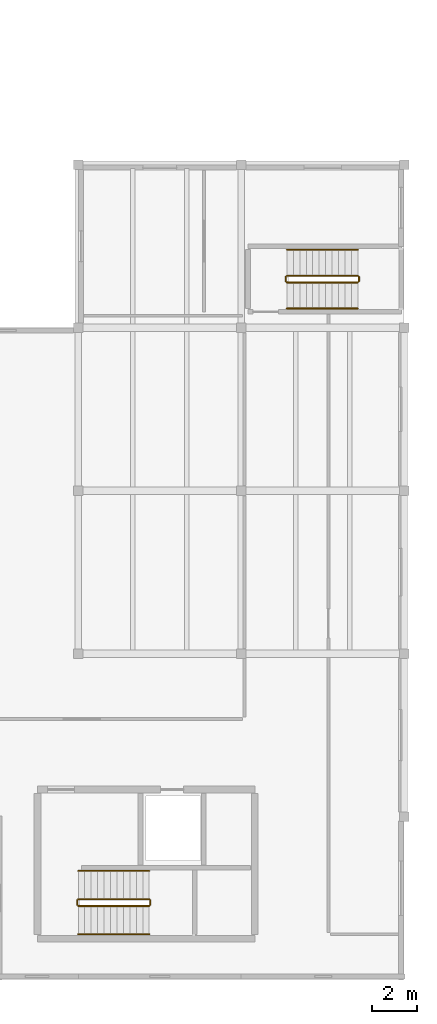
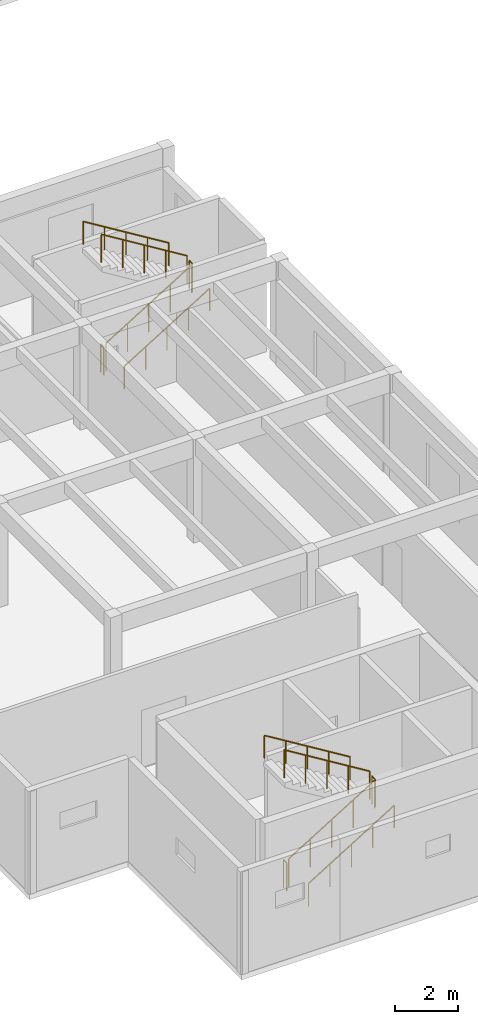
# One storey, part 12 of 15: 12 railings.
"""IFC4 building model written with IfcOpenShell, lengths in metres."""

import ifcopenshell
import ifcopenshell.guid

model = None  # the IFC model being written
_history = None  # IfcOwnerHistory: only IFC2X3 demands one
_inside = {}  # id of a spatial element -> (the spatial element, [elements in it])
_under = {}  # id of a project, library or spatial element -> (it, [spatial elements below it])
_declared = {}  # id of a project -> (the project, [libraries it declares])
_typed = {}  # id of a type object -> (the type object, [elements of that type])
_made_of = {}  # id of a material, layer set ... -> (it, [elements and type objects made of it])


def new_model(schema):
    """Start an empty IFC model of exactly this schema.

    Asked for "IFC4X3", IfcOpenShell would pick the latest addendum, in which some entities
    have other attributes; the version numbers below select the first issue.
    IFC2X3 requires an IfcOwnerHistory on every rooted entity: one is made here for all.
    """
    global model, _history
    if schema == "IFC4X3":
        model = ifcopenshell.file(schema_version=(4, 3, 0, 0))
    else:
        model = ifcopenshell.file(schema=schema)
    _inside.clear()
    _under.clear()
    _declared.clear()
    _typed.clear()
    _made_of.clear()
    _history = None
    if model.schema == "IFC2X3":
        org = make("IfcOrganization", Name="unknown")
        user = make(
            "IfcPersonAndOrganization",
            ThePerson=make("IfcPerson", FamilyName="unknown"),
            TheOrganization=org,
        )
        app = make(
            "IfcApplication",
            ApplicationDeveloper=org,
            Version="unknown",
            ApplicationFullName="unknown",
            ApplicationIdentifier="unknown",
        )
        _history = make(
            "IfcOwnerHistory",
            OwningUser=user,
            OwningApplication=app,
            ChangeAction="ADDED",
            CreationDate=0,
        )
    return model


def make(cls, **values):
    """One entity of the class cls with the attributes given. An attribute that is None is left unset."""
    return model.create_entity(
        cls, **{name: value for name, value in values.items() if value is not None}
    )


def rooted(cls, **values):
    """An entity with a GlobalId (a new one), such as an element, a storey or a relation."""
    return make(cls, GlobalId=ifcopenshell.guid.new(), OwnerHistory=_history, **values)


def si_unit(unit_type, name, prefix=None):
    """IfcSIUnit, for example si_unit("LENGTHUNIT", "METRE", prefix="MILLI")."""
    return make("IfcSIUnit", UnitType=unit_type, Prefix=prefix, Name=name)


def assignment(units):
    """IfcUnitAssignment: the units of a project."""
    return None if units is None else make("IfcUnitAssignment", Units=units)


def point(xyz):
    """IfcCartesianPoint."""
    return None if xyz is None else make("IfcCartesianPoint", Coordinates=xyz)


def direction(xyz):
    """IfcDirection."""
    return None if xyz is None else make("IfcDirection", DirectionRatios=xyz)


def frame(location, z_axis=None, x_axis=None):
    """IfcAxis2Placement3D, a coordinate frame: its origin and axes. An axis left out is left unset."""
    return make(
        "IfcAxis2Placement3D",
        Location=point(location),
        Axis=direction(z_axis),
        RefDirection=direction(x_axis),
    )


def frame_2d(location, x_axis=None):
    """IfcAxis2Placement2D, a coordinate frame in the plane: its origin and x axis."""
    return make(
        "IfcAxis2Placement2D", Location=point(location), RefDirection=direction(x_axis)
    )


def origin():
    """The frame at (0, 0, 0) with its axes left unset."""
    return frame((0.0, 0.0, 0.0))


def origin_2d():
    """The frame at (0, 0) in the plane with its x axis left unset."""
    return frame_2d((0.0, 0.0))


def place(relative_to, where):
    """IfcLocalPlacement: puts the frame where relative to a parent placement (None: the world)."""
    return make(
        "IfcLocalPlacement", PlacementRelTo=relative_to, RelativePlacement=where
    )


def context(
    kind, dimensions, precision=None, world=None, true_north=None, identifier=None
):
    """IfcGeometricRepresentationContext, for example the 3D "Model" context."""
    return make(
        "IfcGeometricRepresentationContext",
        ContextIdentifier=identifier,
        ContextType=kind,
        CoordinateSpaceDimension=dimensions,
        Precision=precision,
        WorldCoordinateSystem=world,
        TrueNorth=true_north,
    )


def subcontext(parent, identifier, kind, view, scale=None):
    """IfcGeometricRepresentationSubContext, for example "Body" below "Model"."""
    return make(
        "IfcGeometricRepresentationSubContext",
        ContextIdentifier=identifier,
        ContextType=kind,
        ParentContext=parent,
        TargetScale=scale,
        TargetView=view,
    )


def project(units=None, contexts=None):
    """IfcProject with its units and contexts."""
    return rooted(
        "IfcProject",
        Name="project",
        RepresentationContexts=contexts,
        UnitsInContext=assignment(units),
    )


def spatial(cls, under=None, at=None, **own):
    """A site, building, storey or space (cls), placed at a placement, below another one or the project."""
    s = rooted(cls, ObjectPlacement=at, **own)
    if under is not None:
        _under.setdefault(under.id(), (under, []))[1].append(s)
    return s


def profile(cls, at=None, kind="AREA", **sizes):
    """A parametric profile (cls). Its sizes go by their IFC names, for example OverallWidth=200.0."""
    return make(cls, ProfileType=kind, Position=at, **sizes)


def circle(**sizes):
    """IfcCircleProfileDef."""
    return profile("IfcCircleProfileDef", **sizes)


def extrude(swept, where, along, depth):
    """IfcExtrudedAreaSolid: the profile swept, set in the frame where, extruded along a direction by depth."""
    return make(
        "IfcExtrudedAreaSolid",
        SweptArea=swept,
        Position=where,
        ExtrudedDirection=direction(along),
        Depth=depth,
    )


def shape(context_of_items, identifier, shape_type, items):
    """IfcShapeRepresentation: the items that make up one representation, for example the "Body"."""
    return make(
        "IfcShapeRepresentation",
        ContextOfItems=context_of_items,
        RepresentationIdentifier=identifier,
        RepresentationType=shape_type,
        Items=items,
    )


def material(Name=None, Category=None):
    """IfcMaterial."""
    return make("IfcMaterial", Name=Name, Category=Category)


def made_of(thing, what):
    """Note that an element or type object is made of a material, layer set ...; save() writes the relation."""
    if what is not None:
        _made_of.setdefault(what.id(), (what, []))[1].append(thing)
    return thing


def type_object(cls, material=None, **own):
    """A type object (cls), such as IfcWallType, which elements share."""
    return made_of(rooted(cls, **own), material)


def element(
    cls,
    number,
    at=None,
    inside=None,
    cuts=None,
    type_object=None,
    material=None,
    context=None,
    identifier="Body",
    shape_type=None,
    held_by="IfcProductDefinitionShape",
    body=None,
    shapes=None,
    **own,
):
    """One element of the class cls, such as IfcWall. Its Tag is "e" and its number.

    at: its placement. inside: the storey or other place that contains it. cuts: it is an
    opening in that element (IfcRelVoidsElement). A single representation is given by context,
    identifier, shape_type and body (its items); several are given by shapes. held_by: the class
    of the entity that holds the representations. save() writes the other relations.
    """
    e = rooted(cls, Tag="e%d" % number, ObjectPlacement=at, **own)
    if body is not None:
        shapes = [shape(context, identifier, shape_type, body)]
    if shapes is not None:
        e.Representation = make(held_by, Representations=shapes)
    if inside is not None:
        _inside.setdefault(inside.id(), (inside, []))[1].append(e)
    if cuts is not None:
        rooted(
            "IfcRelVoidsElement", RelatingBuildingElement=cuts, RelatedOpeningElement=e
        )
    if type_object is not None:
        _typed.setdefault(type_object.id(), (type_object, []))[1].append(e)
    return made_of(e, material)


def aggregate(whole, parts):
    """IfcRelAggregates: a whole, such as a stair, and the parts it consists of."""
    return rooted("IfcRelAggregates", RelatingObject=whole, RelatedObjects=parts)


def save(model, path):
    """Write the relations noted so far, then the file.

    IfcRelAggregates (storeys below a building ...), IfcRelContainedInSpatialStructure (elements
    in a storey), IfcRelDefinesByType, IfcRelAssociatesMaterial and IfcRelDeclares: one each for
    every whole, place, type object, material and project.
    """
    for whole, parts in _under.values():
        aggregate(whole, parts)
    for where, things in _inside.values():
        rooted(
            "IfcRelContainedInSpatialStructure",
            RelatedElements=things,
            RelatingStructure=where,
        )
    for kind, things in _typed.values():
        rooted("IfcRelDefinesByType", RelatedObjects=things, RelatingType=kind)
    for what, things in _made_of.values():
        rooted("IfcRelAssociatesMaterial", RelatedObjects=things, RelatingMaterial=what)
    for by, libraries in _declared.values():
        rooted("IfcRelDeclares", RelatingContext=by, RelatedDefinitions=libraries)
    model.write(path)


model = new_model("IFC4")

# Units and contexts
model_context = context("Model", 3, precision=1e-05, world=origin(), true_north=direction((0.0, 1.0)))
body_context = subcontext(model_context, "Body", "Model", "MODEL_VIEW")
ifc_project = project(units=[si_unit("LENGTHUNIT", "METRE"), si_unit("AREAUNIT", "SQUARE_METRE"), si_unit("VOLUMEUNIT", "CUBIC_METRE"), si_unit("PLANEANGLEUNIT", "RADIAN"), si_unit("MASSUNIT", "GRAM", prefix="KILO")], contexts=[model_context])

# Site, building, storey
site_placement = place(None, origin())
site = spatial("IfcSite", under=ifc_project, at=site_placement, CompositionType="ELEMENT")
building_placement = place(site_placement, origin())
building = spatial("IfcBuilding", under=site, at=building_placement, Name="Bramvelor Terrace Health Centre", CompositionType="ELEMENT")
storey_placement = place(building_placement, frame((0.0, 0.0, 13.5)))
storey = spatial("IfcBuildingStorey", under=building, at=storey_placement, Name="L04", CompositionType="ELEMENT", Elevation=13.5)

# Railings
ifc_material_1 = material(Name="Painted galvanized steel", Category="steel")
railing_type_1 = type_object("IfcRailingType", Name="RLG-GD-1100", PredefinedType="GUARDRAIL", material=ifc_material_1)
railing_1_placement = place(storey_placement, frame((7.199951171875, 32.050048828125, 0.175048828125)))
element("IfcRailing", 1, at=railing_1_placement, inside=storey, type_object=railing_type_1, Name="L04 ST-3 stair guard 1", PredefinedType="GUARDRAIL", context=body_context, shape_type="SweptSolid", body=[
    extrude(circle(Radius=0.02392578125, at=origin_2d()), frame((0.0, 0.0, 1.076171875), z_axis=(0.852166034122, 0.0, 0.523271488128), x_axis=(0.0, 1.0, 0.0)), (0.0, 0.0, 1.0), 3.678955078125),
    extrude(circle(Radius=0.02099609375, at=origin_2d()), origin(), (0.0, 0.0, 1.0), 1.052001953125),
    extrude(circle(Radius=0.02099609375, at=origin_2d()), frame((0.78369140625, 0.0, 0.481201171875)), (0.0, 0.0, 1.0), 1.052001953125),
    extrude(circle(Radius=0.02099609375, at=origin_2d()), frame((1.5673828125, 0.0, 0.96240234375)), (0.0, 0.0, 1.0), 1.052001953125),
    extrude(circle(Radius=0.02099609375, at=origin_2d()), frame((2.351318359375, 0.0, 1.44384765625)), (0.0, 0.0, 1.0), 1.052001953125),
    extrude(circle(Radius=0.02099609375, at=origin_2d()), frame((3.135009765625, 0.0, 1.925048828125)), (0.0, 0.0, 1.0), 1.052001953125),
])
railing_2_placement = place(storey_placement, frame((10.385009765625, 32.10009765625, 2.10009765625)))
element("IfcRailing", 2, at=railing_2_placement, inside=storey, type_object=railing_type_1, Name="L04 ST-3 stair guard 2", PredefinedType="GUARDRAIL", context=body_context, shape_type="SweptSolid", body=[
    extrude(circle(Radius=0.02392578125, at=origin_2d()), frame((0.0, 0.0, 1.076171875), z_axis=(0.0, 1.0, 0.0), x_axis=(-1.0, 0.0, 0.0)), (0.0, 0.0, 1.0), 0.199951171875),
    extrude(circle(Radius=0.02099609375, at=origin_2d()), origin(), (0.0, 0.0, 1.0), 1.052001953125),
    extrude(circle(Radius=0.02099609375, at=origin_2d()), frame((0.0, 0.199951171875, 0.0)), (0.0, 0.0, 1.0), 1.052001953125),
])
railing_3_placement = place(storey_placement, frame((10.3349609375, 32.35009765625, 2.27490234375)))
element("IfcRailing", 3, at=railing_3_placement, inside=storey, type_object=railing_type_1, Name="L04 ST-3 stair guard 3", PredefinedType="GUARDRAIL", context=body_context, shape_type="SweptSolid", body=[
    extrude(circle(Radius=0.02392578125, at=origin_2d()), frame((0.0, 0.0, 1.076171875), z_axis=(-0.852166034122, 0.0, 0.523271488128), x_axis=(0.0, -1.0, 0.0)), (0.0, 0.0, 1.0), 3.678955078125),
    extrude(circle(Radius=0.02099609375, at=origin_2d()), origin(), (0.0, 0.0, 1.0), 1.052001953125),
    extrude(circle(Radius=0.02099609375, at=origin_2d()), frame((-0.78369140625, 0.0, 0.481201171875)), (0.0, 0.0, 1.0), 1.052001953125),
    extrude(circle(Radius=0.02099609375, at=origin_2d()), frame((-1.5673828125, 0.0, 0.96240234375)), (0.0, 0.0, 1.0), 1.052001953125),
    extrude(circle(Radius=0.02099609375, at=origin_2d()), frame((-2.351318359375, 0.0, 1.44384765625)), (0.0, 0.0, 1.0), 1.052001953125),
    extrude(circle(Radius=0.02099609375, at=origin_2d()), frame((-3.135009765625, 0.0, 1.925048828125)), (0.0, 0.0, 1.0), 1.052001953125),
])
railing_4_placement = place(storey_placement, frame((7.14990234375, 32.10009765625, 0.0)))
element("IfcRailing", 4, at=railing_4_placement, inside=storey, type_object=railing_type_1, Name="L04 ST-3 stair guard 4", PredefinedType="GUARDRAIL", context=body_context, shape_type="SweptSolid", body=[
    extrude(circle(Radius=0.02392578125, at=origin_2d()), frame((0.0, 0.0, 1.076171875), z_axis=(0.0, 1.0, 0.0), x_axis=(-1.0, 0.0, 0.0)), (0.0, 0.0, 1.0), 0.199951171875),
    extrude(circle(Radius=0.02099609375, at=origin_2d()), origin(), (0.0, 0.0, 1.0), 1.052001953125),
    extrude(circle(Radius=0.02099609375, at=origin_2d()), frame((0.0, 0.199951171875, 0.0)), (0.0, 0.0, 1.0), 1.052001953125),
])
railing_5_placement = place(storey_placement, frame((16.419921875, 59.60009765625, 0.175048828125)))
element("IfcRailing", 5, at=railing_5_placement, inside=storey, type_object=railing_type_1, Name="L04 ST-6 stair guard 1", PredefinedType="GUARDRAIL", context=body_context, shape_type="SweptSolid", body=[
    extrude(circle(Radius=0.02392578125, at=origin_2d()), frame((0.0, 0.0, 1.076171875), z_axis=(0.852166034122, 0.0, 0.523271488128), x_axis=(0.0, 1.0, 0.0)), (0.0, 0.0, 1.0), 3.678955078125),
    extrude(circle(Radius=0.02099609375, at=origin_2d()), origin(), (0.0, 0.0, 1.0), 1.052001953125),
    extrude(circle(Radius=0.02099609375, at=origin_2d()), frame((0.78369140625, 0.0, 0.481201171875)), (0.0, 0.0, 1.0), 1.052001953125),
    extrude(circle(Radius=0.02099609375, at=origin_2d()), frame((1.5673828125, 0.0, 0.96240234375)), (0.0, 0.0, 1.0), 1.052001953125),
    extrude(circle(Radius=0.02099609375, at=origin_2d()), frame((2.351318359375, 0.0, 1.44384765625)), (0.0, 0.0, 1.0), 1.052001953125),
    extrude(circle(Radius=0.02099609375, at=origin_2d()), frame((3.135009765625, 0.0, 1.925048828125)), (0.0, 0.0, 1.0), 1.052001953125),
])
railing_6_placement = place(storey_placement, frame((19.60498046875, 59.64990234375, 2.10009765625)))
element("IfcRailing", 6, at=railing_6_placement, inside=storey, type_object=railing_type_1, Name="L04 ST-6 stair guard 2", PredefinedType="GUARDRAIL", context=body_context, shape_type="SweptSolid", body=[
    extrude(circle(Radius=0.02392578125, at=origin_2d()), frame((0.0, 0.0, 1.076171875), z_axis=(0.0, 1.0, 0.0), x_axis=(-1.0, 0.0, 0.0)), (0.0, 0.0, 1.0), 0.2001953125),
    extrude(circle(Radius=0.02099609375, at=origin_2d()), origin(), (0.0, 0.0, 1.0), 1.052001953125),
    extrude(circle(Radius=0.02099609375, at=origin_2d()), frame((0.0, 0.2001953125, 0.0)), (0.0, 0.0, 1.0), 1.052001953125),
])
railing_7_placement = place(storey_placement, frame((19.554931640625, 59.89990234375, 2.27490234375)))
element("IfcRailing", 7, at=railing_7_placement, inside=storey, type_object=railing_type_1, Name="L04 ST-6 stair guard 3", PredefinedType="GUARDRAIL", context=body_context, shape_type="SweptSolid", body=[
    extrude(circle(Radius=0.02392578125, at=origin_2d()), frame((0.0, 0.0, 1.076171875), z_axis=(-0.852166034122, 0.0, 0.523271488128), x_axis=(0.0, -1.0, 0.0)), (0.0, 0.0, 1.0), 3.678955078125),
    extrude(circle(Radius=0.02099609375, at=origin_2d()), origin(), (0.0, 0.0, 1.0), 1.052001953125),
    extrude(circle(Radius=0.02099609375, at=origin_2d()), frame((-0.78369140625, 0.0, 0.481201171875)), (0.0, 0.0, 1.0), 1.052001953125),
    extrude(circle(Radius=0.02099609375, at=origin_2d()), frame((-1.5673828125, 0.0, 0.96240234375)), (0.0, 0.0, 1.0), 1.052001953125),
    extrude(circle(Radius=0.02099609375, at=origin_2d()), frame((-2.351318359375, 0.0, 1.44384765625)), (0.0, 0.0, 1.0), 1.052001953125),
    extrude(circle(Radius=0.02099609375, at=origin_2d()), frame((-3.135009765625, 0.0, 1.925048828125)), (0.0, 0.0, 1.0), 1.052001953125),
])
railing_8_placement = place(storey_placement, frame((16.3701171875, 59.64990234375, 0.0)))
element("IfcRailing", 8, at=railing_8_placement, inside=storey, type_object=railing_type_1, Name="L04 ST-6 stair guard 4", PredefinedType="GUARDRAIL", context=body_context, shape_type="SweptSolid", body=[
    extrude(circle(Radius=0.02392578125, at=origin_2d()), frame((0.0, 0.0, 1.076171875), z_axis=(0.0, 1.0, 0.0), x_axis=(-1.0, 0.0, 0.0)), (0.0, 0.0, 1.0), 0.2001953125),
    extrude(circle(Radius=0.02099609375, at=origin_2d()), origin(), (0.0, 0.0, 1.0), 1.052001953125),
    extrude(circle(Radius=0.02099609375, at=origin_2d()), frame((0.0, 0.2001953125, 0.0)), (0.0, 0.0, 1.0), 1.052001953125),
])
ifc_material_2 = material(Name="Brushed stainless steel 316", Category="steel")
railing_type_2 = type_object("IfcRailingType", Name="RLG-HR-900", PredefinedType="HANDRAIL", material=ifc_material_2)
railing_9_placement = place(storey_placement, frame((7.199951171875, 30.800048828125, 0.175048828125)))
element("IfcRailing", 9, at=railing_9_placement, inside=storey, type_object=railing_type_2, Name="L04 ST-3 stair handrail 1", PredefinedType="HANDRAIL", context=body_context, shape_type="SweptSolid", body=[
    extrude(circle(Radius=0.02392578125, at=origin_2d()), frame((0.0, 0.0, 0.8759765625), z_axis=(0.852166034122, 0.0, 0.523271488128), x_axis=(0.0, 1.0, 0.0)), (0.0, 0.0, 1.0), 3.678955078125),
    extrude(circle(Radius=0.02099609375, at=origin_2d()), origin(), (0.0, 0.0, 1.0), 0.851806640625),
    extrude(circle(Radius=0.02099609375, at=origin_2d()), frame((0.78369140625, 0.0, 0.481201171875)), (0.0, 0.0, 1.0), 0.851806640625),
    extrude(circle(Radius=0.02099609375, at=origin_2d()), frame((1.5673828125, 0.0, 0.96240234375)), (0.0, 0.0, 1.0), 0.851806640625),
    extrude(circle(Radius=0.02099609375, at=origin_2d()), frame((2.351318359375, 0.0, 1.44384765625)), (0.0, 0.0, 1.0), 0.851806640625),
    extrude(circle(Radius=0.02099609375, at=origin_2d()), frame((3.135009765625, 0.0, 1.925048828125)), (0.0, 0.0, 1.0), 0.851806640625),
])
railing_10_placement = place(storey_placement, frame((10.3349609375, 33.60009765625, 2.27490234375)))
element("IfcRailing", 10, at=railing_10_placement, inside=storey, type_object=railing_type_2, Name="L04 ST-3 stair handrail 2", PredefinedType="HANDRAIL", context=body_context, shape_type="SweptSolid", body=[
    extrude(circle(Radius=0.02392578125, at=origin_2d()), frame((0.0, 0.0, 0.8759765625), z_axis=(-0.852166034122, 0.0, 0.523271488128), x_axis=(0.0, -1.0, 0.0)), (0.0, 0.0, 1.0), 3.678955078125),
    extrude(circle(Radius=0.02099609375, at=origin_2d()), origin(), (0.0, 0.0, 1.0), 0.851806640625),
    extrude(circle(Radius=0.02099609375, at=origin_2d()), frame((-0.78369140625, 0.0, 0.481201171875)), (0.0, 0.0, 1.0), 0.851806640625),
    extrude(circle(Radius=0.02099609375, at=origin_2d()), frame((-1.5673828125, 0.0, 0.96240234375)), (0.0, 0.0, 1.0), 0.851806640625),
    extrude(circle(Radius=0.02099609375, at=origin_2d()), frame((-2.351318359375, 0.0, 1.44384765625)), (0.0, 0.0, 1.0), 0.851806640625),
    extrude(circle(Radius=0.02099609375, at=origin_2d()), frame((-3.135009765625, 0.0, 1.925048828125)), (0.0, 0.0, 1.0), 0.851806640625),
])
railing_11_placement = place(storey_placement, frame((16.419921875, 58.449951171875, 0.175048828125)))
element("IfcRailing", 11, at=railing_11_placement, inside=storey, type_object=railing_type_2, Name="L04 ST-6 stair handrail 1", PredefinedType="HANDRAIL", context=body_context, shape_type="SweptSolid", body=[
    extrude(circle(Radius=0.02392578125, at=origin_2d()), frame((0.0, 0.0, 0.8759765625), z_axis=(0.852166034122, 0.0, 0.523271488128), x_axis=(0.0, 1.0, 0.0)), (0.0, 0.0, 1.0), 3.678955078125),
    extrude(circle(Radius=0.02099609375, at=origin_2d()), origin(), (0.0, 0.0, 1.0), 0.851806640625),
    extrude(circle(Radius=0.02099609375, at=origin_2d()), frame((0.78369140625, 0.0, 0.481201171875)), (0.0, 0.0, 1.0), 0.851806640625),
    extrude(circle(Radius=0.02099609375, at=origin_2d()), frame((1.5673828125, 0.0, 0.96240234375)), (0.0, 0.0, 1.0), 0.851806640625),
    extrude(circle(Radius=0.02099609375, at=origin_2d()), frame((2.351318359375, 0.0, 1.44384765625)), (0.0, 0.0, 1.0), 0.851806640625),
    extrude(circle(Radius=0.02099609375, at=origin_2d()), frame((3.135009765625, 0.0, 1.925048828125)), (0.0, 0.0, 1.0), 0.851806640625),
])
railing_12_placement = place(storey_placement, frame((19.554931640625, 61.050048828125, 2.27490234375)))
element("IfcRailing", 12, at=railing_12_placement, inside=storey, type_object=railing_type_2, Name="L04 ST-6 stair handrail 2", PredefinedType="HANDRAIL", context=body_context, shape_type="SweptSolid", body=[
    extrude(circle(Radius=0.02392578125, at=origin_2d()), frame((0.0, 0.0, 0.8759765625), z_axis=(-0.852166034122, 0.0, 0.523271488128), x_axis=(0.0, -1.0, 0.0)), (0.0, 0.0, 1.0), 3.678955078125),
    extrude(circle(Radius=0.02099609375, at=origin_2d()), origin(), (0.0, 0.0, 1.0), 0.851806640625),
    extrude(circle(Radius=0.02099609375, at=origin_2d()), frame((-0.78369140625, 0.0, 0.481201171875)), (0.0, 0.0, 1.0), 0.851806640625),
    extrude(circle(Radius=0.02099609375, at=origin_2d()), frame((-1.5673828125, 0.0, 0.96240234375)), (0.0, 0.0, 1.0), 0.851806640625),
    extrude(circle(Radius=0.02099609375, at=origin_2d()), frame((-2.351318359375, 0.0, 1.44384765625)), (0.0, 0.0, 1.0), 0.851806640625),
    extrude(circle(Radius=0.02099609375, at=origin_2d()), frame((-3.135009765625, 0.0, 1.925048828125)), (0.0, 0.0, 1.0), 0.851806640625),
])

save(model, "model.ifc")
